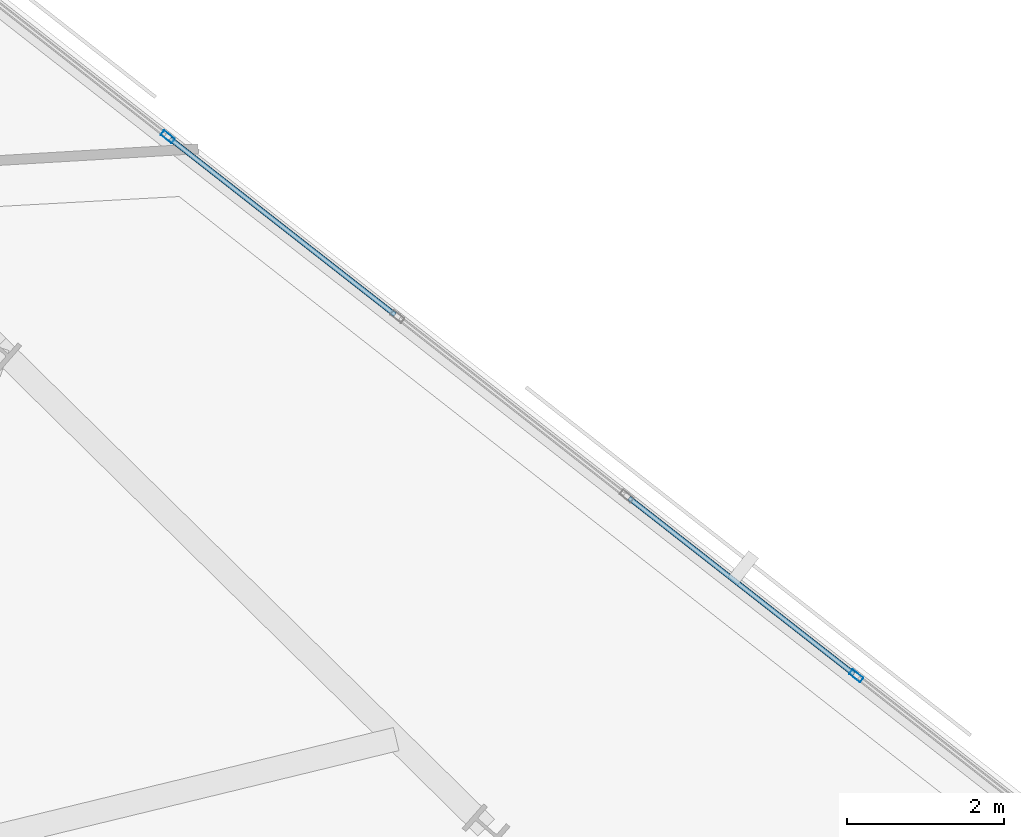
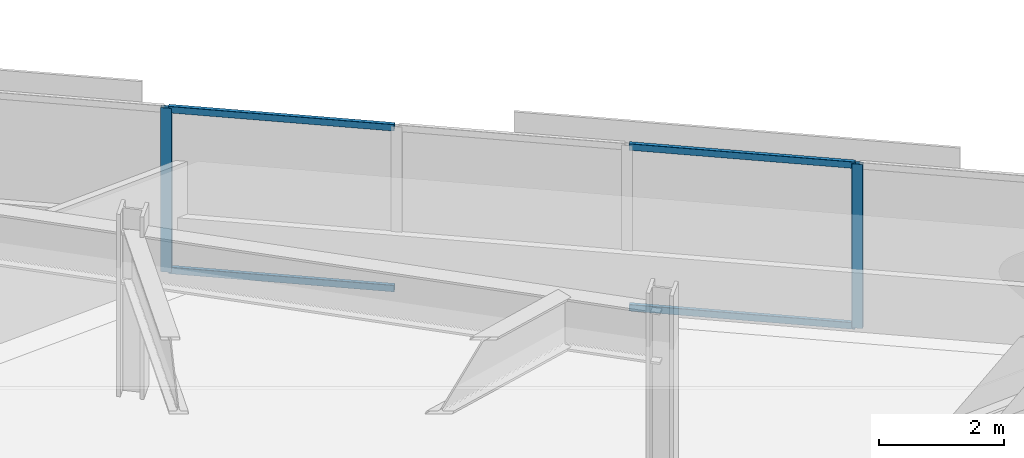
# One storey, part 3 of 15: 6 members, 1 element without a shape of its own.
"""IFC4 building model written with IfcOpenShell, lengths in metres."""

from ifc_helpers import new_model, si_unit, direction, frame, origin, origin_2d, place, context, subcontext, project, spatial, hollow_rectangle, extrude, material, material_profile, profile_set, type_object, element, aggregate, save


model = new_model("IFC4")

# Units and contexts
model_context = context("Model", 3, precision=1e-05, world=origin(), true_north=direction((0.0, 1.0)))
body_context = subcontext(model_context, "Body", "Model", "MODEL_VIEW")
ifc_project = project(units=[si_unit("LENGTHUNIT", "METRE"), si_unit("AREAUNIT", "SQUARE_METRE"), si_unit("VOLUMEUNIT", "CUBIC_METRE"), si_unit("PLANEANGLEUNIT", "RADIAN"), si_unit("MASSUNIT", "GRAM", prefix="KILO")], contexts=[model_context])

# Site, building, storey
site_placement = place(None, origin())
site = spatial("IfcSite", under=ifc_project, at=site_placement, CompositionType="ELEMENT")
building_placement = place(site_placement, origin())
building = spatial("IfcBuilding", under=site, at=building_placement, Name="Narakoshi Arena Tower", CompositionType="ELEMENT")
storey_placement = place(building_placement, frame((0.0, 0.0, 92.10009765625)))
storey = spatial("IfcBuildingStorey", under=building, at=storey_placement, Name="L24", CompositionType="ELEMENT", Elevation=92.10009765625)

# Curtain wall, members
ifc_material = material(Name="Anodised bronze aluminium 6063-T6", Category="aluminium")
curtain_wall_type = type_object("IfcCurtainWallType", Name="CW-HYP-LOW", PredefinedType="NOTDEFINED", material=ifc_material)
curtain_wall_placement = place(storey_placement, origin())
curtain_wall = element("IfcCurtainWall", 1, at=curtain_wall_placement, inside=storey, type_object=curtain_wall_type, Name="L24 Folded Hypotenuse Curtain Wall 1-1", PredefinedType="NOTDEFINED")
ifc_material_profile_1 = material_profile(ifc_material, hollow_rectangle(XDim=0.074951171875, YDim=0.179931640625, WallThickness=0.00390625, OuterFilletRadius=0.0048828125, at=origin_2d()), Name="MUL180x75x4")
ifc_profile_set_1 = profile_set([ifc_material_profile_1], Name="Anodised bronze aluminium 6063-T6")
member_type_1 = type_object("IfcMemberType", Name="MEM-MUL-180", PredefinedType="MULLION", material=ifc_profile_set_1)
member_1_placement = place(storey_placement, frame((117.93603515625, 40.603759765625, 0.0), z_axis=(0.0, 0.0, 1.0), x_axis=(-0.616456832822, -0.787388705321, 0.0)))
member_1 = element("IfcMember", 2, at=member_1_placement, type_object=member_type_1, Name="CW-01 mullion 2", PredefinedType="MULLION", context=body_context, shape_type="SweptSolid", body=[
    extrude(hollow_rectangle(XDim=0.074951171875, YDim=0.179931640625, WallThickness=0.00390625, OuterFilletRadius=0.0048828125, at=origin_2d()), origin(), (0.0, 0.0, 1.0), 3.199951171875),
])
member_2_placement = place(storey_placement, frame((109.15771484375, 47.476318359375, 0.0), z_axis=(0.0, 0.0, 1.0), x_axis=(-0.616456832822, -0.787388705321, 0.0)))
member_2 = element("IfcMember", 3, at=member_2_placement, type_object=member_type_1, Name="CW-01 mullion 5", PredefinedType="MULLION", context=body_context, shape_type="SweptSolid", body=[
    extrude(hollow_rectangle(XDim=0.074951171875, YDim=0.179931640625, WallThickness=0.00390625, OuterFilletRadius=0.0048828125, at=origin_2d()), origin(), (0.0, 0.0, 1.0), 3.199951171875),
])
ifc_material_profile_2 = material_profile(ifc_material, hollow_rectangle(XDim=0.06494140625, YDim=0.1298828125, WallThickness=0.00390625, OuterFilletRadius=0.0048828125, at=origin_2d()), Name="TRN130x65x4")
ifc_profile_set_2 = profile_set([ifc_material_profile_2], Name="Anodised bronze aluminium 6063-T6")
member_type_2 = type_object("IfcMemberType", Name="MEM-TRN-130", PredefinedType="USERDEFINED", material=ifc_profile_set_2)
member_3_placement = place(storey_placement, frame((117.906494140625, 40.626953125, 0.032470703125), z_axis=(-0.787380472788, 0.616467347936, 0.0), x_axis=(-0.616467347936, -0.787380472788, 0.0)))
member_3 = element("IfcMember", 4, at=member_3_placement, type_object=member_type_2, Name="CW-01 transom 2.1", ObjectType="TRANSOM", PredefinedType="USERDEFINED", context=body_context, shape_type="SweptSolid", body=[
    extrude(hollow_rectangle(XDim=0.06494140625, YDim=0.1298828125, WallThickness=0.00390625, OuterFilletRadius=0.0048828125, at=origin_2d()), origin(), (0.0, 0.0, 1.0), 3.64111328125),
])
member_4_placement = place(storey_placement, frame((117.906494140625, 40.626953125, 3.16748046875), z_axis=(-0.787380472788, 0.616467347936, 0.0), x_axis=(-0.616467347936, -0.787380472788, 0.0)))
member_4 = element("IfcMember", 5, at=member_4_placement, type_object=member_type_2, Name="CW-01 transom 2.2", ObjectType="TRANSOM", PredefinedType="USERDEFINED", context=body_context, shape_type="SweptSolid", body=[
    extrude(hollow_rectangle(XDim=0.06494140625, YDim=0.1298828125, WallThickness=0.00390625, OuterFilletRadius=0.0048828125, at=origin_2d()), origin(), (0.0, 0.0, 1.0), 3.64111328125),
])
member_5_placement = place(storey_placement, frame((112.054443359375, 45.208740234375, 0.032470703125), z_axis=(-0.787405952314, 0.616434802927, 0.0), x_axis=(-0.616434802927, -0.787405952314, 0.0)))
member_5 = element("IfcMember", 6, at=member_5_placement, type_object=member_type_2, Name="CW-01 transom 4.1", ObjectType="TRANSOM", PredefinedType="USERDEFINED", context=body_context, shape_type="SweptSolid", body=[
    extrude(hollow_rectangle(XDim=0.06494140625, YDim=0.1298828125, WallThickness=0.00390625, OuterFilletRadius=0.0048828125, at=origin_2d()), origin(), (0.0, 0.0, 1.0), 3.641357421875),
])
member_6_placement = place(storey_placement, frame((112.054443359375, 45.208740234375, 3.16748046875), z_axis=(-0.787405952314, 0.616434802927, 0.0), x_axis=(-0.616434802927, -0.787405952314, 0.0)))
member_6 = element("IfcMember", 7, at=member_6_placement, type_object=member_type_2, Name="CW-01 transom 4.2", ObjectType="TRANSOM", PredefinedType="USERDEFINED", context=body_context, shape_type="SweptSolid", body=[
    extrude(hollow_rectangle(XDim=0.06494140625, YDim=0.1298828125, WallThickness=0.00390625, OuterFilletRadius=0.0048828125, at=origin_2d()), origin(), (0.0, 0.0, 1.0), 3.641357421875),
])
aggregate(curtain_wall, [member_1, member_2, member_3, member_4, member_5, member_6])

save(model, "model.ifc")
